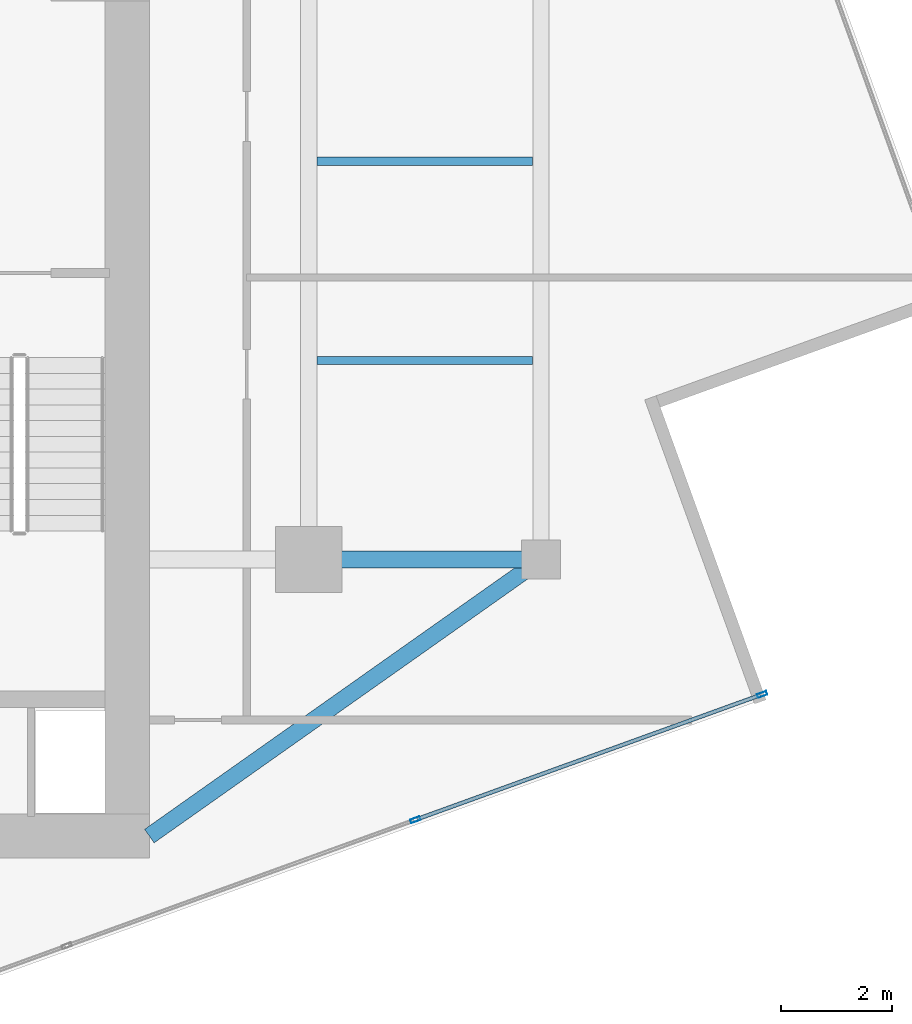
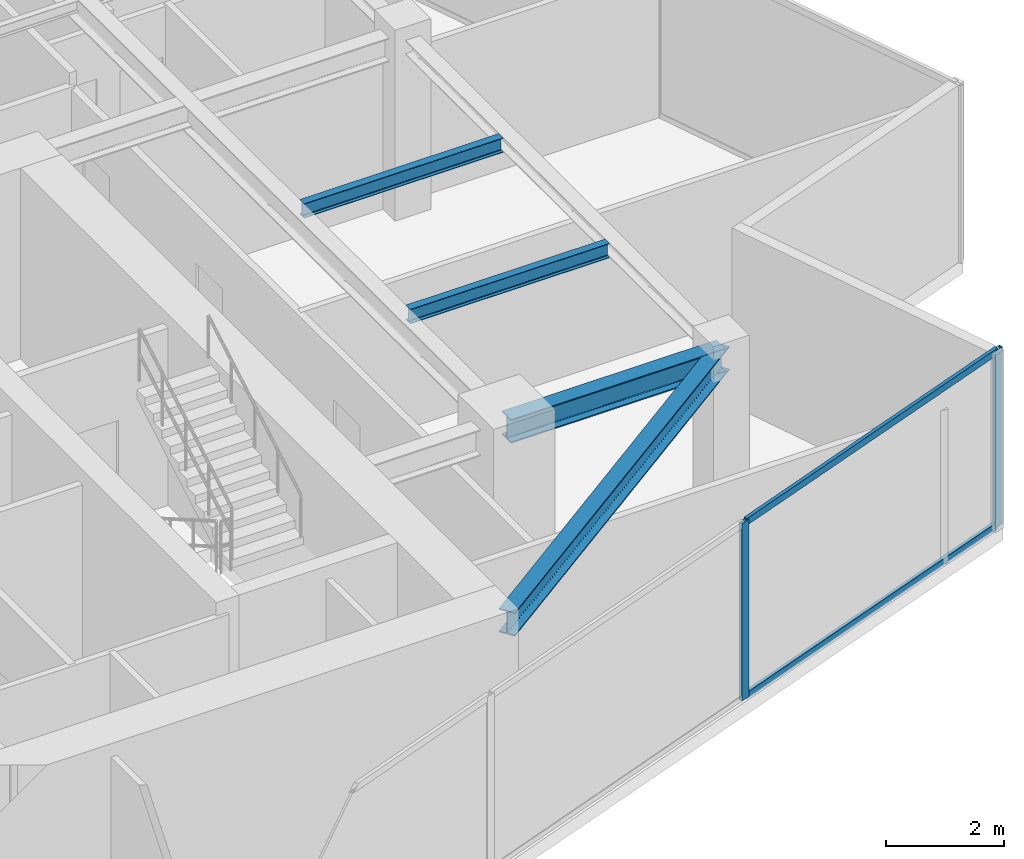
# One storey, part 9 of 21: 4 beams, 4 members, 1 element without a shape of its own.
"""IFC4 building model written with IfcOpenShell, lengths in metres."""

from ifc_helpers import new_model, si_unit, direction, frame, origin, origin_2d, place, context, subcontext, project, spatial, hollow_rectangle, i_section, extrude, source, transform, mapped, material, material_profile, profile_set, type_object, type_shapes, element, aggregate, save


model = new_model("IFC4")

# Units and contexts
model_context = context("Model", 3, precision=1e-05, world=origin(), true_north=direction((0.0, 1.0)))
body_context = subcontext(model_context, "Body", "Model", "MODEL_VIEW")
ifc_project = project(units=[si_unit("LENGTHUNIT", "METRE"), si_unit("AREAUNIT", "SQUARE_METRE"), si_unit("VOLUMEUNIT", "CUBIC_METRE"), si_unit("PLANEANGLEUNIT", "RADIAN"), si_unit("MASSUNIT", "GRAM", prefix="KILO")], contexts=[model_context])

# Site, building, storey
site_placement = place(None, origin())
site = spatial("IfcSite", under=ifc_project, at=site_placement, CompositionType="ELEMENT")
building_placement = place(site_placement, origin())
building = spatial("IfcBuilding", under=site, at=building_placement, Name="Krantzveldt Concourse Tower", CompositionType="ELEMENT")
storey_placement = place(building_placement, frame((0.0, 0.0, 335.60009765625)))
storey = spatial("IfcBuildingStorey", under=building, at=storey_placement, Name="L82", CompositionType="ELEMENT", Elevation=335.60009765625)

# Beams
ifc_material_1 = material(Name="Steel S355JR", Category="steel")
ifc_material_profile_1 = material_profile(ifc_material_1, i_section(OverallWidth=0.300048828125, OverallDepth=0.489990234375, WebThickness=0.011962890625, FlangeThickness=0.02294921875, FilletRadius=0.027099609375, at=origin_2d()), Name="Steel S355JR", Category="steel")
ifc_profile_set_1 = profile_set([ifc_material_profile_1], Name="Steel S355JR - HEA 500")
beam_type_1 = type_object("IfcBeamType", Name="BM-B-HEA500", PredefinedType="BEAM", material=ifc_profile_set_1)
shared_shape_1 = source(origin(), body_context, "Body", "SweptSolid", [
    extrude(i_section(OverallWidth=0.300048828125, OverallDepth=0.489990234375, WebThickness=0.011962890625, FlangeThickness=0.02294921875, FilletRadius=0.027099609375, at=origin_2d()), origin(), (0.0, 0.0, 1.0), 4.199951171875),
])
beam_1_placement = place(storey_placement, frame((46.800048828125, 15.89990234375, 3.4248046875), z_axis=(1.0, 0.0, 0.0), x_axis=(0.0, 1.0, 0.0)))
element("IfcBeam", 1, at=beam_1_placement, inside=storey, type_object=beam_type_1, Name="L82 Tower Girder BR-RR1", PredefinedType="BEAM", context=body_context, shape_type="MappedRepresentation", body=[
    mapped(shared_shape_1, transform((0.0, 0.0, 0.0), x_axis=(1.0, 0.0, 0.0), y_axis=(0.0, 1.0, 0.0), z_axis=(0.0, 0.0, 1.0), scale=1.0)),
])
shared_shape_2 = source(origin(), body_context, "Body", "SweptSolid", [
    extrude(i_section(OverallWidth=0.300048828125, OverallDepth=0.489990234375, WebThickness=0.011962890625, FlangeThickness=0.02294921875, FilletRadius=0.027099609375, at=origin_2d()), origin(), (0.0, 0.0, 1.0), 8.667724609375),
])
type_shapes(beam_type_1, [shared_shape_1, shared_shape_2])
beam_2_placement = place(storey_placement, frame((51.0, 15.89990234375, 3.4248046875), z_axis=(-0.81684294656, -0.576860122261, 0.0), x_axis=(0.576860122261, -0.81684294656, 0.0)))
element("IfcBeam", 2, at=beam_2_placement, inside=storey, type_object=beam_type_1, Name="L82 Tower Girder BR-CSE", PredefinedType="BEAM", context=body_context, shape_type="MappedRepresentation", body=[
    mapped(shared_shape_2, transform((0.0, 0.0, 0.0), x_axis=(1.0, 0.0, 0.0), y_axis=(0.0, 1.0, 0.0), z_axis=(0.0, 0.0, 1.0), scale=1.0)),
])
ifc_material_profile_2 = material_profile(ifc_material_1, i_section(OverallWidth=0.14990234375, OverallDepth=0.300048828125, WebThickness=0.007080078125, FlangeThickness=0.0107421875, FilletRadius=0.014892578125, at=origin_2d()), Name="Steel S355JR", Category="steel")
ifc_profile_set_2 = profile_set([ifc_material_profile_2], Name="Steel S355JR - IPE 300")
beam_type_2 = type_object("IfcBeamType", Name="BM-J-IPE300", PredefinedType="JOIST", material=ifc_profile_set_2)
shared_shape_3 = source(origin(), body_context, "Body", "SweptSolid", [
    extrude(i_section(OverallWidth=0.14990234375, OverallDepth=0.300048828125, WebThickness=0.007080078125, FlangeThickness=0.0107421875, FilletRadius=0.014892578125, at=origin_2d()), origin(), (0.0, 0.0, 1.0), 3.900146484375),
])
type_shapes(beam_type_2, [shared_shape_3])
for number, where, z_axis, x_axis, name in (
    (3, (46.949951171875, 19.5, 3.52001953125), (1.0, 0.0, 0.0), (0.0, 1.0, 0.0), "L82 Secondary Floor Joist JE-1"),
    (4, (46.949951171875, 23.10009765625, 3.52001953125), (1.0, 0.0, 0.0), (0.0, 1.0, 0.0), "L82 Secondary Floor Joist JE-2"),
):
    element("IfcBeam", number, at=place(storey_placement, frame(where, z_axis=z_axis, x_axis=x_axis)), inside=storey, type_object=beam_type_2, Name=name, PredefinedType="JOIST", context=body_context, shape_type="MappedRepresentation", body=[
        mapped(shared_shape_3, transform((0.0, 0.0, 0.0), x_axis=(1.0, 0.0, 0.0), y_axis=(0.0, 1.0, 0.0), z_axis=(0.0, 0.0, 1.0), scale=1.0)),
    ])

# Curtain wall, members
ifc_material_2 = material(Name="Anodised aluminium 6063-T6", Category="aluminium")
curtain_wall_type = type_object("IfcCurtainWallType", Name="CW4", PredefinedType="USERDEFINED", material=ifc_material_2)
curtain_wall_placement = place(storey_placement, origin())
curtain_wall = element("IfcCurtainWall", 5, at=curtain_wall_placement, inside=storey, type_object=curtain_wall_type, Name="CW-L82-F07", ObjectType="UNITISED CURTAIN WALL", PredefinedType="USERDEFINED")
ifc_material_profile_3 = material_profile(ifc_material_2, hollow_rectangle(XDim=0.070068359375, YDim=0.179931640625, WallThickness=0.0048828125, at=origin_2d()), Name="Anodised aluminium 6063-T6", Category="aluminium")
ifc_profile_set_3 = profile_set([ifc_material_profile_3], Name="Anodised aluminium 6063-T6 - ALU-MULL 180x70x5")
member_type_1 = type_object("IfcMemberType", Name="CW-MUL-180", PredefinedType="MULLION", material=ifc_profile_set_3)
shared_shape_4 = source(origin(), body_context, "Body", "SweptSolid", [
    extrude(hollow_rectangle(XDim=0.070068359375, YDim=0.179931640625, WallThickness=0.0048828125, at=origin_2d()), origin(), (0.0, 0.0, 1.0), 3.669921875),
])
type_shapes(member_type_1, [shared_shape_4])
member_1_placement = place(storey_placement, frame((48.729736328125, 11.194091796875, 0.0), z_axis=(0.0, 0.0, 1.0), x_axis=(-0.339969050563, 0.940436624478, 0.0)))
member_1 = element("IfcMember", 6, at=member_1_placement, type_object=member_type_1, Name="CW-Z56 mullion 4", PredefinedType="MULLION", context=body_context, shape_type="MappedRepresentation", body=[
    mapped(shared_shape_4, transform((0.0, 0.0, 0.0), x_axis=(1.0, 0.0, 0.0), y_axis=(0.0, 1.0, 0.0), z_axis=(0.0, 0.0, 1.0), scale=1.0)),
])
member_2_placement = place(storey_placement, frame((54.997802734375, 13.4599609375, 0.0), z_axis=(0.0, 0.0, 1.0), x_axis=(-0.339969050563, 0.940436624478, 0.0)))
member_2 = element("IfcMember", 7, at=member_2_placement, type_object=member_type_1, Name="CW-Z56 mullion 5", PredefinedType="MULLION", context=body_context, shape_type="MappedRepresentation", body=[
    mapped(shared_shape_4, transform((0.0, 0.0, 0.0), x_axis=(1.0, 0.0, 0.0), y_axis=(0.0, 1.0, 0.0), z_axis=(0.0, 0.0, 1.0), scale=1.0)),
])
ifc_material_profile_4 = material_profile(ifc_material_2, hollow_rectangle(XDim=0.070068359375, YDim=0.139892578125, WallThickness=0.0048828125, at=origin_2d()), Name="Anodised aluminium 6063-T6", Category="aluminium")
ifc_profile_set_4 = profile_set([ifc_material_profile_4], Name="Anodised aluminium 6063-T6 - ALU-TRAN 140x70x5")
member_type_2 = type_object("IfcMemberType", Name="CW-TRN-150", PredefinedType="USERDEFINED", material=ifc_profile_set_4)
shared_shape_5 = source(origin(), body_context, "Body", "SweptSolid", [
    extrude(hollow_rectangle(XDim=0.070068359375, YDim=0.139892578125, WallThickness=0.0048828125, at=origin_2d()), origin(), (0.0, 0.0, 1.0), 6.594970703125),
])
type_shapes(member_type_2, [shared_shape_5])
member_3_placement = place(storey_placement, frame((48.7626953125, 11.2060546875, 0.034912109375), z_axis=(0.940431638086, 0.339982843811, 0.0), x_axis=(-0.339982843811, 0.940431638086, 0.0)))
member_3 = element("IfcMember", 8, at=member_3_placement, type_object=member_type_2, Name="CW-Z56 transom 4.1", ObjectType="TRANSOM", PredefinedType="USERDEFINED", context=body_context, shape_type="MappedRepresentation", body=[
    mapped(shared_shape_5, transform((0.0, 0.0, 0.0), x_axis=(1.0, 0.0, 0.0), y_axis=(0.0, 1.0, 0.0), z_axis=(0.0, 0.0, 1.0), scale=1.0)),
])
member_4_placement = place(storey_placement, frame((48.7626953125, 11.2060546875, 3.635009765625), z_axis=(0.940431638086, 0.339982843811, 0.0), x_axis=(-0.339982843811, 0.940431638086, 0.0)))
member_4 = element("IfcMember", 9, at=member_4_placement, type_object=member_type_2, Name="CW-Z56 transom 4.2", ObjectType="TRANSOM", PredefinedType="USERDEFINED", context=body_context, shape_type="MappedRepresentation", body=[
    mapped(shared_shape_5, transform((0.0, 0.0, 0.0), x_axis=(1.0, 0.0, 0.0), y_axis=(0.0, 1.0, 0.0), z_axis=(0.0, 0.0, 1.0), scale=1.0)),
])
aggregate(curtain_wall, [member_1, member_2, member_3, member_4])

save(model, "model.ifc")
